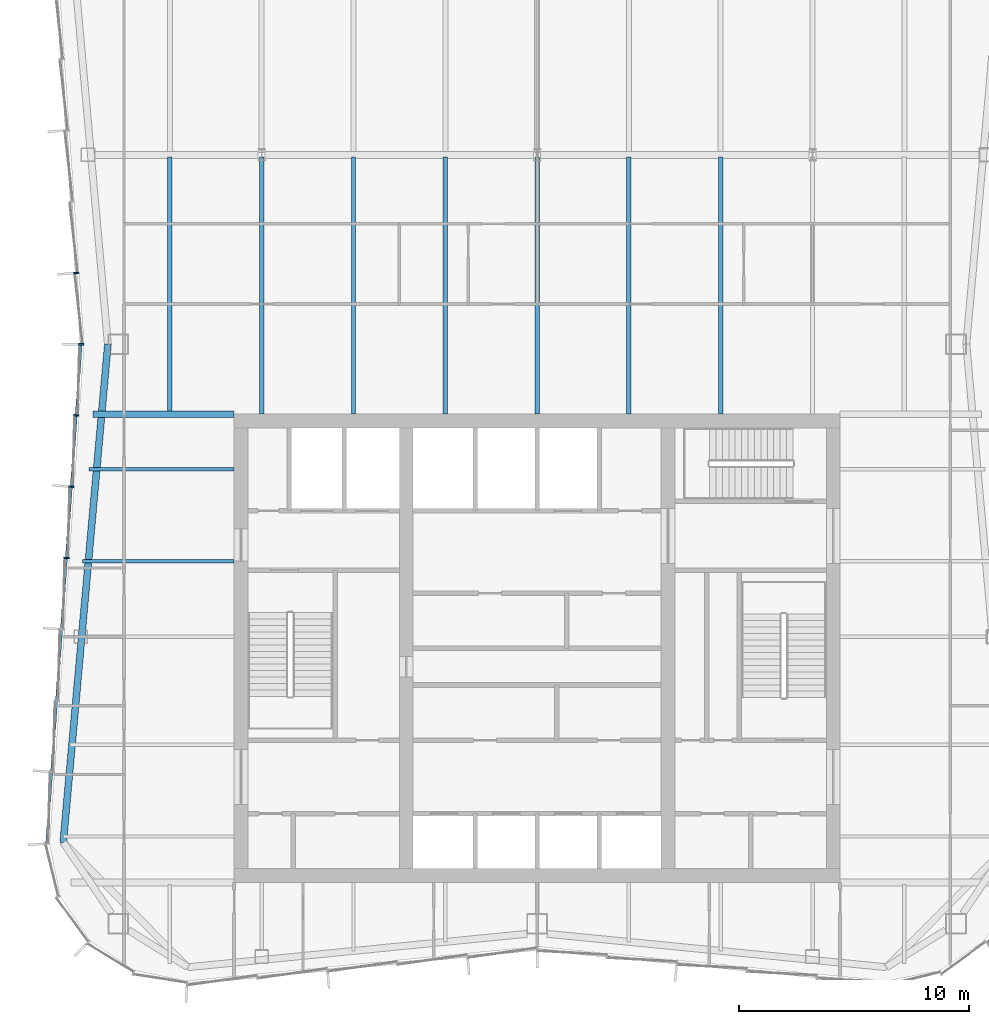
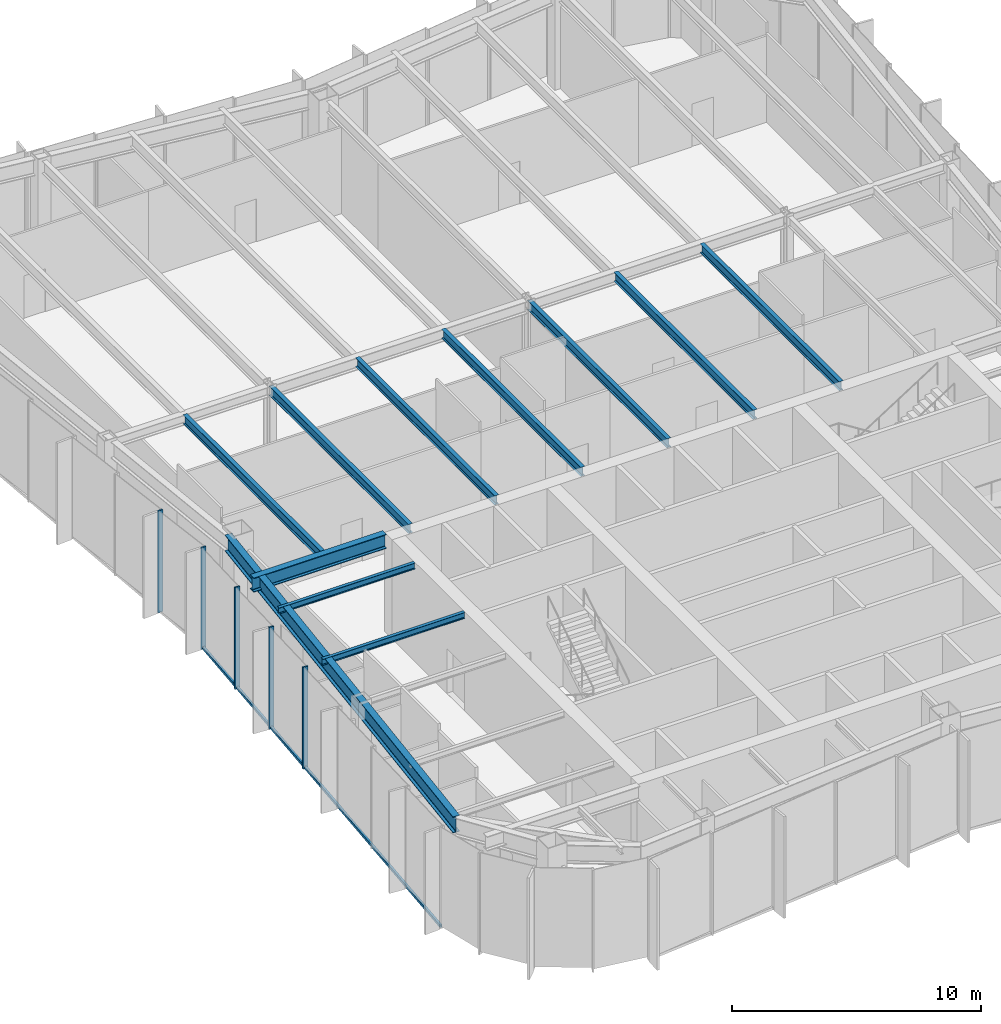
# One storey, part 4 of 14: 11 beams, 6 members, 1 element without a shape of its own.
"""IFC4 building model written with IfcOpenShell, lengths in metres."""

from ifc_helpers import new_model, si_unit, direction, frame, origin, origin_2d, place, context, subcontext, project, spatial, rectangle, i_section, extrude, material, material_profile, profile_set, type_object, element, aggregate, save


model = new_model("IFC4")

# Units and contexts
model_context = context("Model", 3, precision=1e-05, world=origin(), true_north=direction((0.0, 1.0)))
body_context = subcontext(model_context, "Body", "Model", "MODEL_VIEW")
ifc_project = project(units=[si_unit("LENGTHUNIT", "METRE"), si_unit("AREAUNIT", "SQUARE_METRE"), si_unit("VOLUMEUNIT", "CUBIC_METRE"), si_unit("PLANEANGLEUNIT", "RADIAN"), si_unit("MASSUNIT", "GRAM", prefix="KILO")], contexts=[model_context])

# Site, building, storey
site_placement = place(None, origin())
site = spatial("IfcSite", under=ifc_project, at=site_placement, CompositionType="ELEMENT")
building_placement = place(site_placement, origin())
building = spatial("IfcBuilding", under=site, at=building_placement, Name="Verdant Reach Tower", CompositionType="ELEMENT")
storey_placement = place(building_placement, frame((0.0, 0.0, 289.0)))
storey = spatial("IfcBuildingStorey", under=building, at=storey_placement, Name="L66", CompositionType="ELEMENT", Elevation=289.0)

# Curtain wall, members
ifc_material_1 = material(Name="Anodised aluminium", Category="aluminium")
curtain_wall_type = type_object("IfcCurtainWallType", Name="EN-CW SYSTEM Z5", PredefinedType="NOTDEFINED", material=ifc_material_1)
curtain_wall_placement = place(storey_placement, origin())
curtain_wall = element("IfcCurtainWall", 1, at=curtain_wall_placement, inside=storey, type_object=curtain_wall_type, Name="Curtain wall west, L66", PredefinedType="NOTDEFINED")
ifc_material_profile_1 = material_profile(ifc_material_1, rectangle(XDim=0.22998046875, YDim=0.070068359375, at=origin_2d()), Name="Mullion 70x230")
ifc_profile_set_1 = profile_set([ifc_material_profile_1], Name="Anodised aluminium")
member_type_1 = type_object("IfcMemberType", Name="EN-MULLION Z5", PredefinedType="MULLION", material=ifc_profile_set_1)
member_1_placement = place(storey_placement, frame((-20.0791015625, 44.34912109375, -0.35009765625), z_axis=(0.0, 0.0, 1.0), x_axis=(-0.997630328423, -0.068802091615, 0.0)))
member_1 = element("IfcMember", 2, at=member_1_placement, type_object=member_type_1, Name="Mullion west face part 1 7, L66", PredefinedType="MULLION", context=body_context, shape_type="SweptSolid", body=[
    extrude(rectangle(XDim=0.22998046875, YDim=0.070068359375, at=origin_2d()), origin(), (0.0, 0.0, 1.0), 5.0),
])
member_2_placement = place(storey_placement, frame((-19.864990234375, 41.25, -0.35009765625), z_axis=(0.0, 0.0, 1.0), x_axis=(-1.0, 0.0, 0.0)))
member_2 = element("IfcMember", 3, at=member_2_placement, type_object=member_type_1, Name="Mullion west face part 2 1, L66", PredefinedType="MULLION", context=body_context, shape_type="SweptSolid", body=[
    extrude(rectangle(XDim=0.22998046875, YDim=0.070068359375, at=origin_2d()), origin(), (0.0, 0.0, 1.0), 5.0),
])
member_3_placement = place(storey_placement, frame((-20.0791015625, 38.15087890625, -0.35009765625), z_axis=(0.0, 0.0, 1.0), x_axis=(-0.997630328423, 0.068802091615, 0.0)))
member_3 = element("IfcMember", 4, at=member_3_placement, type_object=member_type_1, Name="Mullion west face part 2 2, L66", PredefinedType="MULLION", context=body_context, shape_type="SweptSolid", body=[
    extrude(rectangle(XDim=0.22998046875, YDim=0.070068359375, at=origin_2d()), origin(), (0.0, 0.0, 1.0), 5.0),
])
member_4_placement = place(storey_placement, frame((-20.293212890625, 35.043701171875, -0.35009765625), z_axis=(0.0, 0.0, 1.0), x_axis=(-0.997630328423, 0.068802091615, 0.0)))
member_4 = element("IfcMember", 5, at=member_4_placement, type_object=member_type_1, Name="Mullion west face part 2 3, L66", PredefinedType="MULLION", context=body_context, shape_type="SweptSolid", body=[
    extrude(rectangle(XDim=0.22998046875, YDim=0.070068359375, at=origin_2d()), origin(), (0.0, 0.0, 1.0), 5.0),
])
member_5_placement = place(storey_placement, frame((-20.507568359375, 31.9365234375, -0.35009765625), z_axis=(0.0, 0.0, 1.0), x_axis=(-0.997630328423, 0.068802091615, 0.0)))
member_5 = element("IfcMember", 6, at=member_5_placement, type_object=member_type_1, Name="Mullion west face part 2 4, L66", PredefinedType="MULLION", context=body_context, shape_type="SweptSolid", body=[
    extrude(rectangle(XDim=0.22998046875, YDim=0.070068359375, at=origin_2d()), origin(), (0.0, 0.0, 1.0), 5.0),
])
ifc_material_profile_2 = material_profile(ifc_material_1, rectangle(XDim=0.10009765625, YDim=0.1298828125, at=origin_2d()), Name="Transom 130x100")
ifc_profile_set_2 = profile_set([ifc_material_profile_2], Name="Anodised aluminium")
member_type_2 = type_object("IfcMemberType", Name="EN-TRANSOM Z5", PredefinedType="USERDEFINED", material=ifc_profile_set_2)
member_6_placement = place(storey_placement, frame((-19.867431640625, 41.215087890625, -0.284912109375), z_axis=(-0.068764705107, -0.997632906099, 0.0), x_axis=(0.997632906099, -0.068764705107, 0.0)))
member_6 = element("IfcMember", 7, at=member_6_placement, type_object=member_type_2, Name="Transom west face part 2 1.1, L66", ObjectType="TRANSOM", PredefinedType="USERDEFINED", context=body_context, shape_type="SweptSolid", body=[
    extrude(rectangle(XDim=0.10009765625, YDim=0.1298828125, at=origin_2d()), origin(), (0.0, 0.0, 1.0), 21.739013671875),
])
aggregate(curtain_wall, [member_1, member_2, member_3, member_4, member_5, member_6])

# Beams
ifc_material_2 = material(Name="Steel S355", Category="steel")
ifc_material_profile_3 = material_profile(ifc_material_2, i_section(OverallWidth=0.300048828125, OverallDepth=0.699951171875, WebThickness=0.01708984375, FlangeThickness=0.031982421875, FilletRadius=0.027099609375, at=origin_2d()), Name="HEB 700")
ifc_profile_set_3 = profile_set([ifc_material_profile_3], Name="Steel S355")
beam_type_1 = type_object("IfcBeamType", Name="ST-BEAM-HEB700", PredefinedType="BEAM", material=ifc_profile_set_3)
beam_1_placement = place(storey_placement, frame((-13.199951171875, 38.199951171875, 4.52001953125), z_axis=(-1.0, 0.0, 0.0), x_axis=(0.0, -1.0, 0.0)))
element("IfcBeam", 8, at=beam_1_placement, inside=storey, type_object=beam_type_1, Name="Trimmer beam, L66", PredefinedType="BEAM", context=body_context, shape_type="SweptSolid", body=[
    extrude(i_section(OverallWidth=0.300048828125, OverallDepth=0.699951171875, WebThickness=0.01708984375, FlangeThickness=0.031982421875, FilletRadius=0.027099609375, at=origin_2d()), origin(), (0.0, 0.0, 1.0), 6.158935546875),
])
ifc_material_profile_4 = material_profile(ifc_material_2, i_section(OverallWidth=0.14990234375, OverallDepth=0.300048828125, WebThickness=0.007080078125, FlangeThickness=0.0107421875, FilletRadius=0.014892578125, at=origin_2d()), Name="IPE 300")
ifc_profile_set_4 = profile_set([ifc_material_profile_4], Name="Steel S355")
beam_type_2 = type_object("IfcBeamType", Name="ST-JOIST-IPE300", PredefinedType="JOIST", material=ifc_profile_set_4)
beam_2_placement = place(storey_placement, frame((-13.199951171875, 31.800048828125, 4.719970703125), z_axis=(-1.0, 0.0, 0.0), x_axis=(0.0, -1.0, 0.0)))
element("IfcBeam", 9, at=beam_2_placement, inside=storey, type_object=beam_type_2, Name="Floor joist, L66", PredefinedType="JOIST", context=body_context, shape_type="SweptSolid", body=[
    extrude(i_section(OverallWidth=0.14990234375, OverallDepth=0.300048828125, WebThickness=0.007080078125, FlangeThickness=0.0107421875, FilletRadius=0.014892578125, at=origin_2d()), origin(), (0.0, 0.0, 1.0), 6.600341796875),
])
beam_3_placement = place(storey_placement, frame((-13.199951171875, 35.800048828125, 4.719970703125), z_axis=(-1.0, 0.0, 0.0), x_axis=(0.0, -1.0, 0.0)))
element("IfcBeam", 10, at=beam_3_placement, inside=storey, type_object=beam_type_2, Name="Floor joist, L66", PredefinedType="JOIST", context=body_context, shape_type="SweptSolid", body=[
    extrude(i_section(OverallWidth=0.14990234375, OverallDepth=0.300048828125, WebThickness=0.007080078125, FlangeThickness=0.0107421875, FilletRadius=0.014892578125, at=origin_2d()), origin(), (0.0, 0.0, 1.0), 6.324462890625),
])
ifc_material_profile_5 = material_profile(ifc_material_2, i_section(OverallWidth=0.18994140625, OverallDepth=0.449951171875, WebThickness=0.009521484375, FlangeThickness=0.0146484375, FilletRadius=0.02099609375, at=origin_2d()), Name="IPE 450")
ifc_profile_set_5 = profile_set([ifc_material_profile_5], Name="Steel S355")
beam_type_3 = type_object("IfcBeamType", Name="ST-JOIST-IPE450", PredefinedType="JOIST", material=ifc_profile_set_5)
beam_4_placement = place(storey_placement, frame((-16.0, 38.300048828125, 4.64501953125), z_axis=(0.0, 1.0, 0.0), x_axis=(-1.0, 0.0, 0.0)))
element("IfcBeam", 11, at=beam_4_placement, inside=storey, type_object=beam_type_3, Name="Floor joist, L66", PredefinedType="JOIST", context=body_context, shape_type="SweptSolid", body=[
    extrude(i_section(OverallWidth=0.18994140625, OverallDepth=0.449951171875, WebThickness=0.009521484375, FlangeThickness=0.0146484375, FilletRadius=0.02099609375, at=origin_2d()), origin(), (0.0, 0.0, 1.0), 11.099853515625),
])
for number, where, z_axis, x_axis, name in (
    (12, (-12.0, 38.199951171875, 4.64501953125), (0.0, 1.0, 0.0), (-1.0, 0.0, 0.0), "Floor joist, L66"),
    (13, (-8.0, 38.199951171875, 4.64501953125), (0.0, 1.0, 0.0), (-1.0, 0.0, 0.0), "Floor joist, L66"),
    (14, (-4.0, 38.199951171875, 4.64501953125), (0.0, 1.0, 0.0), (-1.0, 0.0, 0.0), "Floor joist, L66"),
    (15, (0.0, 38.199951171875, 4.64501953125), (0.0, 1.0, 0.0), (-1.0, 0.0, 0.0), "Floor joist, L66"),
    (16, (4.0, 38.199951171875, 4.64501953125), (0.0, 1.0, 0.0), (-1.0, 0.0, 0.0), "Floor joist, L66"),
    (17, (8.0, 38.199951171875, 4.64501953125), (0.0, 1.0, 0.0), (-1.0, 0.0, 0.0), "Floor joist, L66"),
):
    element("IfcBeam", number, at=place(storey_placement, frame(where, z_axis=z_axis, x_axis=x_axis)), inside=storey, type_object=beam_type_3, Name=name, PredefinedType="JOIST", context=body_context, shape_type="SweptSolid", body=[
        extrude(i_section(OverallWidth=0.18994140625, OverallDepth=0.449951171875, WebThickness=0.009521484375, FlangeThickness=0.0146484375, FilletRadius=0.02099609375, at=origin_2d()), origin(), (0.0, 0.0, 1.0), 11.199951171875),
    ])
ifc_material_profile_6 = material_profile(ifc_material_2, i_section(OverallWidth=0.300048828125, OverallDepth=0.800048828125, WebThickness=0.017578125, FlangeThickness=0.032958984375, FilletRadius=0.030029296875, at=origin_2d()), Name="HEB 800")
ifc_profile_set_6 = profile_set([ifc_material_profile_6], Name="Steel S355")
beam_type_4 = type_object("IfcBeamType", Name="ST-SPANDREL-HEB800", PredefinedType="SPANDREL", material=ifc_profile_set_6)
beam_5_placement = place(storey_placement, frame((-20.64599609375, 19.53857421875, 4.469970703125), z_axis=(0.089274399498, 0.996007069048, 0.0), x_axis=(-0.996007069048, 0.089274399498, 0.0)))
element("IfcBeam", 18, at=beam_5_placement, inside=storey, type_object=beam_type_4, Name="Edge beam, L66", PredefinedType="SPANDREL", context=body_context, shape_type="SweptSolid", body=[
    extrude(i_section(OverallWidth=0.300048828125, OverallDepth=0.800048828125, WebThickness=0.017578125, FlangeThickness=0.032958984375, FilletRadius=0.030029296875, at=origin_2d()), origin(), (0.0, 0.0, 1.0), 21.798583984375),
])

save(model, "model.ifc")
